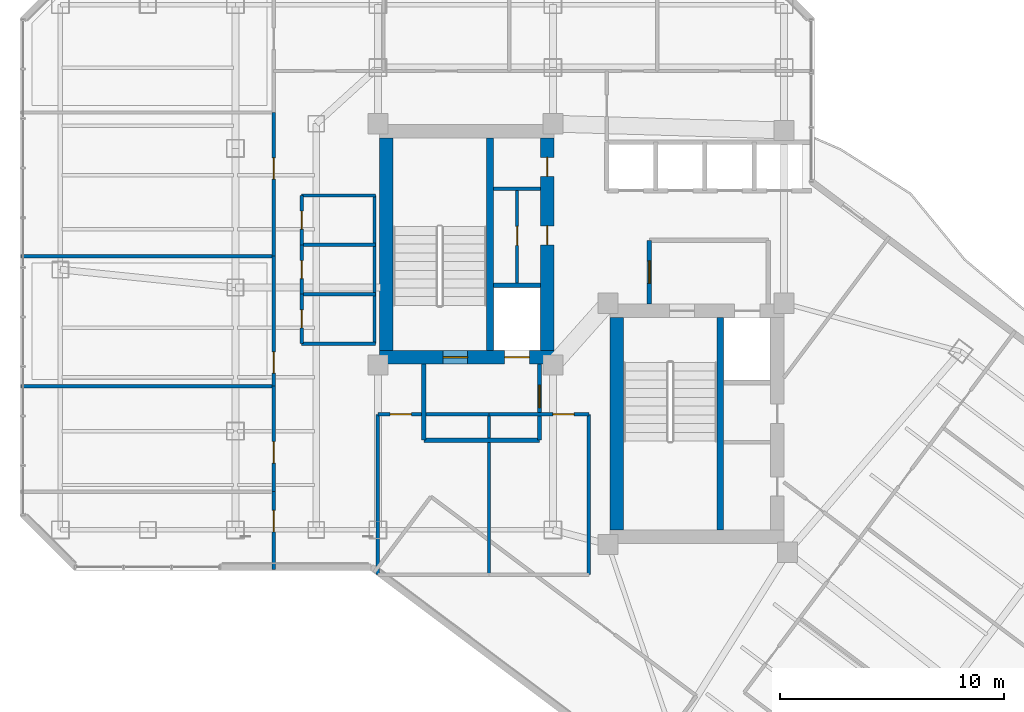
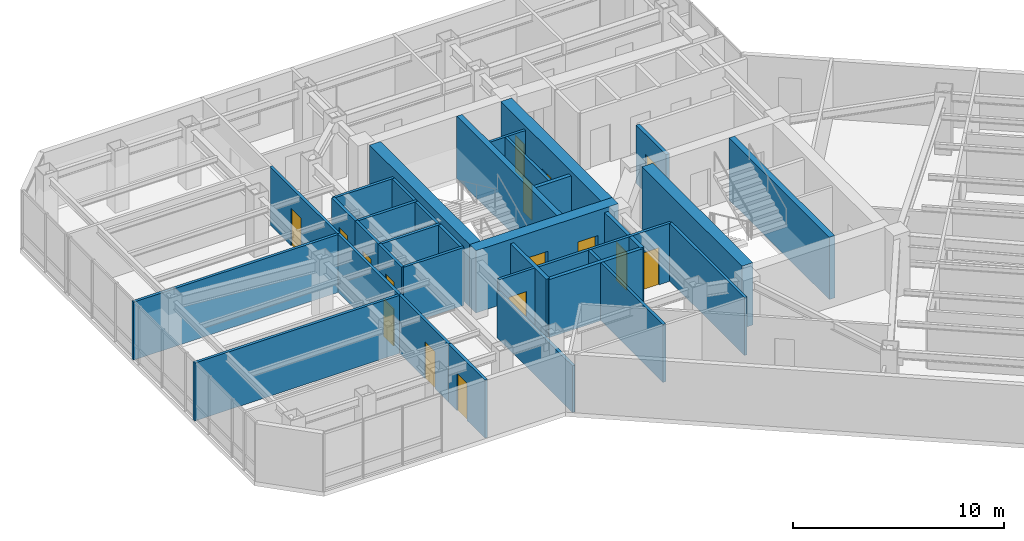
# One storey, part 22 of 27: 32 walls, 16 doors, 16 openings.
"""IFC4 building model written with IfcOpenShell, lengths in metres."""

from ifc_helpers import new_model, si_unit, direction, frame, frame_2d, origin, place, context, subcontext, project, spatial, rectangle, extrude, material, layer, layer_set, type_object, element, fill, save


model = new_model("IFC4")

# Units and contexts
model_context = context("Model", 3, precision=1e-05, world=origin(), true_north=direction((0.0, 1.0)))
body_context = subcontext(model_context, "Body", "Model", "MODEL_VIEW")
ifc_project = project(units=[si_unit("LENGTHUNIT", "METRE"), si_unit("AREAUNIT", "SQUARE_METRE"), si_unit("VOLUMEUNIT", "CUBIC_METRE"), si_unit("PLANEANGLEUNIT", "RADIAN"), si_unit("MASSUNIT", "GRAM", prefix="KILO")], contexts=[model_context])

# Site, building, storey
site_placement = place(None, origin())
site = spatial("IfcSite", under=ifc_project, at=site_placement, CompositionType="ELEMENT")
building_placement = place(site_placement, origin())
building = spatial("IfcBuilding", under=site, at=building_placement, Name="Hatsunagi Terrace Concourse", CompositionType="ELEMENT")
storey_placement = place(building_placement, frame((0.0, 0.0, 163.64990234375)))
storey = spatial("IfcBuildingStorey", under=building, at=storey_placement, Name="L43", CompositionType="ELEMENT", Elevation=163.64990234375)

# Wall, openings, doors
ifc_material_1 = material(Name="Concrete Fc48", Category="concrete")
ifc_layer_1 = layer(ifc_material_1, 0.60009765625)
ifc_layer_set_1 = layer_set([ifc_layer_1], Name="CoreShearWall_Fc48_600")
wall_type_1 = type_object("IfcWallType", Name="CoreShearWall_Fc48_600", PredefinedType="SHEAR", material=ifc_layer_set_1)
wall_1_placement = place(storey_placement, frame((25.6201171875, 32.889892578125, 0.0), z_axis=(0.0, 0.0, 1.0), x_axis=(1.0, 0.0, 0.0)))
wall_1 = element("IfcWall", 1, at=wall_1_placement, inside=storey, type_object=wall_type_1, Name="Core A Shear Wall S L43", PredefinedType="SHEAR", context=body_context, shape_type="SweptSolid", body=[
    extrude(rectangle(XDim=7.77978515625, YDim=0.60009765625, at=frame_2d((3.889892578125, 0.0))), origin(), (0.0, 0.0, 1.0), 3.60009765625),
])
opening_1_placement = place(wall_1_placement, frame((2.830078125, 0.0, 0.0)))
opening_1 = element("IfcOpeningElement", 2, at=opening_1_placement, cuts=wall_1, Name="Opening DR-110S", PredefinedType="OPENING", context=body_context, shape_type="SweptSolid", body=[
    extrude(rectangle(XDim=1.10009765625, YDim=2.199951171875, at=frame_2d((0.550048828125, 1.10009765625))), frame((0.0, 0.31005859375, 0.0), z_axis=(0.0, -1.0, 0.0), x_axis=(1.0, 0.0, 0.0)), (0.0, 0.0, 1.0), 0.6201171875),
])
opening_2_placement = place(wall_1_placement, frame((5.580078125, 0.0, 0.0)))
opening_2 = element("IfcOpeningElement", 3, at=opening_2_placement, cuts=wall_1, Name="Opening LD-01", PredefinedType="OPENING", context=body_context, shape_type="SweptSolid", body=[
    extrude(rectangle(XDim=1.10009765625, YDim=2.14990234375, at=frame_2d((0.550048828125, 1.074951171875))), frame((0.0, 0.31005859375, 0.0), z_axis=(0.0, -1.0, 0.0), x_axis=(1.0, 0.0, 0.0)), (0.0, 0.0, 1.0), 0.6201171875),
])
ifc_material_2 = material(Name="Stainless steel", Category="steel")
door_type_1 = type_object("IfcDoorType", Name="LiftLandingDoor_LD01", OperationType="SLIDING_TO_LEFT", PredefinedType="USERDEFINED", material=ifc_material_2)
door_1_placement = place(opening_2_placement, origin())
door_1 = element("IfcDoor", 4, at=door_1_placement, inside=storey, type_object=door_type_1, Name="Lift landing door FF-01 L43", ObjectType="SLIDING_LANDING_DOOR", OperationType="SLIDING_TO_LEFT", OverallHeight=2.14990234375, OverallWidth=1.10009765625, PredefinedType="USERDEFINED", context=body_context, shape_type="SweptSolid", body=[
    extrude(rectangle(XDim=1.10009765625, YDim=2.14990234375, at=frame_2d((0.550048828125, 1.074951171875))), frame((0.0, 0.02490234375, 0.0), z_axis=(0.0, -1.0, 0.0), x_axis=(1.0, 0.0, 0.0)), (0.0, 0.0, 1.0), 0.050048828125),
])
fill(opening_2, door_1)
ifc_material_3 = material(Name="Painted steel", Category="steel")
door_type_2 = type_object("IfcDoorType", Name="StairFireDoor_EI60_1100", OperationType="NOTDEFINED", PredefinedType="DOOR", material=ifc_material_3)
door_2_placement = place(opening_1_placement, origin())
door_2 = element("IfcDoor", 5, at=door_2_placement, inside=storey, type_object=door_type_2, Name="Stair ST-A Exit Door L43", OperationType="SINGLE_SWING_LEFT", OverallHeight=2.199951171875, OverallWidth=1.10009765625, PredefinedType="DOOR", context=body_context, shape_type="SweptSolid", body=[
    extrude(rectangle(XDim=1.10009765625, YDim=2.199951171875, at=frame_2d((0.550048828125, 1.10009765625))), frame((0.0, 0.02490234375, 0.0), z_axis=(0.0, -1.0, 0.0), x_axis=(1.0, 0.0, 0.0)), (0.0, 0.0, 1.0), 0.050048828125),
])
fill(opening_1, door_2)

# Wall
wall_2_placement = place(storey_placement, frame((25.919921875, 33.18994140625, 0.0), z_axis=(0.0, 0.0, 1.0), x_axis=(0.0, 1.0, 0.0)))
element("IfcWall", 6, at=wall_2_placement, inside=storey, type_object=wall_type_1, Name="Core A Shear Wall W L43", PredefinedType="SHEAR", context=body_context, shape_type="SweptSolid", body=[
    extrude(rectangle(XDim=9.47998046875, YDim=0.60009765625, at=frame_2d((4.739990234375, 0.0))), origin(), (0.0, 0.0, 1.0), 3.60009765625),
])

# Wall, openings, doors
wall_3_placement = place(storey_placement, frame((33.10009765625, 33.18994140625, 0.0), z_axis=(0.0, 0.0, 1.0), x_axis=(0.0, 1.0, 0.0)))
wall_3 = element("IfcWall", 7, at=wall_3_placement, inside=storey, type_object=wall_type_1, Name="Core A Shear Wall E L43", PredefinedType="SHEAR", context=body_context, shape_type="SweptSolid", body=[
    extrude(rectangle(XDim=9.47998046875, YDim=0.60009765625, at=frame_2d((4.739990234375, 0.0))), origin(), (0.0, 0.0, 1.0), 3.60009765625),
])
opening_3_placement = place(wall_3_placement, frame((4.7099609375, 0.0, 0.0)))
opening_3 = element("IfcOpeningElement", 8, at=opening_3_placement, cuts=wall_3, Name="Opening DR-085", PredefinedType="OPENING", context=body_context, shape_type="SweptSolid", body=[
    extrude(rectangle(XDim=0.85009765625, YDim=2.080078125, at=frame_2d((0.425048828125, 1.0400390625))), frame((0.0, 0.31005859375, 0.0), z_axis=(0.0, -1.0, 0.0), x_axis=(1.0, 0.0, 0.0)), (0.0, 0.0, 1.0), 0.6201171875),
])
opening_4_placement = place(wall_3_placement, frame((7.760009765625, 0.0, 0.0)))
opening_4 = element("IfcOpeningElement", 9, at=opening_4_placement, cuts=wall_3, Name="Opening DR-085", PredefinedType="OPENING", context=body_context, shape_type="SweptSolid", body=[
    extrude(rectangle(XDim=0.85009765625, YDim=2.080078125, at=frame_2d((0.425048828125, 1.0400390625))), frame((0.0, 0.31005859375, 0.0), z_axis=(0.0, -1.0, 0.0), x_axis=(1.0, 0.0, 0.0)), (0.0, 0.0, 1.0), 0.6201171875),
])
ifc_material_4 = material(Name="Painted steel", Category="steel")
door_type_3 = type_object("IfcDoorType", Name="RiserAccessDoor_EI60_850", OperationType="NOTDEFINED", PredefinedType="DOOR", material=ifc_material_4)
door_3_placement = place(opening_3_placement, origin())
door_3 = element("IfcDoor", 10, at=door_3_placement, inside=storey, type_object=door_type_3, Name="Core A Riser Door L43-1", OperationType="SINGLE_SWING_LEFT", OverallHeight=2.080078125, OverallWidth=0.85009765625, PredefinedType="DOOR", context=body_context, shape_type="SweptSolid", body=[
    extrude(rectangle(XDim=0.85009765625, YDim=2.080078125, at=frame_2d((0.425048828125, 1.0400390625))), frame((0.0, 0.02490234375, 0.0), z_axis=(0.0, -1.0, 0.0), x_axis=(1.0, 0.0, 0.0)), (0.0, 0.0, 1.0), 0.050048828125),
])
fill(opening_3, door_3)
door_4_placement = place(opening_4_placement, origin())
door_4 = element("IfcDoor", 11, at=door_4_placement, inside=storey, type_object=door_type_3, Name="Core A Riser Door L43-2", OperationType="SINGLE_SWING_LEFT", OverallHeight=2.080078125, OverallWidth=0.85009765625, PredefinedType="DOOR", context=body_context, shape_type="SweptSolid", body=[
    extrude(rectangle(XDim=0.85009765625, YDim=2.080078125, at=frame_2d((0.425048828125, 1.0400390625))), frame((0.0, 0.02490234375, 0.0), z_axis=(0.0, -1.0, 0.0), x_axis=(1.0, 0.0, 0.0)), (0.0, 0.0, 1.0), 0.050048828125),
])
fill(opening_4, door_4)

# Walls
wall_4_placement = place(storey_placement, frame((36.18994140625, 25.18994140625, 0.0), z_axis=(0.0, 0.0, 1.0), x_axis=(0.0, 1.0, 0.0)))
element("IfcWall", 12, at=wall_4_placement, inside=storey, type_object=wall_type_1, Name="Core B Shear Wall W L43", PredefinedType="SHEAR", context=body_context, shape_type="SweptSolid", body=[
    extrude(rectangle(XDim=9.47998046875, YDim=0.60009765625, at=frame_2d((4.739990234375, 0.0))), origin(), (0.0, 0.0, 1.0), 3.60009765625),
])
ifc_material_5 = material(Name="Concrete Fc48", Category="concrete")
ifc_layer_2 = layer(ifc_material_5, 0.300048828125)
ifc_layer_set_2 = layer_set([ifc_layer_2], Name="CoreStairDivider_Fc48_300")
wall_type_2 = type_object("IfcWallType", Name="CoreStairDivider_Fc48_300", PredefinedType="SHEAR", material=ifc_layer_set_2)
for number, where, z_axis, x_axis, name in (
    (13, (30.5400390625, 33.18994140625, 0.0), (0.0, 0.0, 1.0), (0.0, 1.0, 0.0), "Core A Shear Wall D L43"),
    (14, (40.81005859375, 25.18994140625, 0.0), (0.0, 0.0, 1.0), (0.0, 1.0, 0.0), "Core B Shear Wall D L43"),
):
    element("IfcWall", number, at=place(storey_placement, frame(where, z_axis=z_axis, x_axis=x_axis)), inside=storey, type_object=wall_type_2, Name=name, PredefinedType="SHEAR", context=body_context, shape_type="SweptSolid", body=[
        extrude(rectangle(XDim=9.47998046875, YDim=0.300048828125, at=frame_2d((4.739990234375, 0.0))), origin(), (0.0, 0.0, 1.0), 3.60009765625),
    ])

# Wall, opening, door
ifc_material_6 = material(Name="Acoustic mineral board", Category="gypsum")
ifc_layer_3 = layer(ifc_material_6, 0.14990234375)
ifc_layer_set_3 = layer_set([ifc_layer_3], Name="PartitionWall_EI60_150")
wall_type_3 = type_object("IfcWallType", Name="PartitionWall_EI60_150", PredefinedType="PARTITIONING", material=ifc_layer_set_3)
wall_5_placement = place(storey_placement, frame((31.75, 36.179931640625, 0.0), z_axis=(0.0, 0.0, 1.0), x_axis=(0.0, 1.0, 0.0)))
wall_5 = element("IfcWall", 15, at=wall_5_placement, inside=storey, type_object=wall_type_3, Name="Interior Partition IW-L43-002", PredefinedType="PARTITIONING", context=body_context, shape_type="SweptSolid", body=[
    extrude(rectangle(XDim=4.239990234375, YDim=0.14990234375, at=frame_2d((2.1201171875, 0.0))), origin(), (0.0, 0.0, 1.0), 3.35009765625),
])
opening_5_placement = place(wall_5_placement, frame((1.695068359375, 0.0, 0.0)))
opening_5 = element("IfcOpeningElement", 16, at=opening_5_placement, cuts=wall_5, Name="Opening DR-085", PredefinedType="OPENING", context=body_context, shape_type="SweptSolid", body=[
    extrude(rectangle(XDim=0.85009765625, YDim=2.080078125, at=frame_2d((0.425048828125, 1.0400390625))), frame((0.0, 0.0849609375, 0.0), z_axis=(0.0, -1.0, 0.0), x_axis=(1.0, 0.0, 0.0)), (0.0, 0.0, 1.0), 0.169921875),
])
door_5_placement = place(opening_5_placement, origin())
door_5 = element("IfcDoor", 17, at=door_5_placement, inside=storey, type_object=door_type_3, Name="Core A Sub-Riser Door L43", OperationType="SINGLE_SWING_LEFT", OverallHeight=2.080078125, OverallWidth=0.85009765625, PredefinedType="DOOR", context=body_context, shape_type="SweptSolid", body=[
    extrude(rectangle(XDim=0.85009765625, YDim=2.080078125, at=frame_2d((0.425048828125, 1.0400390625))), frame((0.0, 0.02490234375, 0.0), z_axis=(0.0, -1.0, 0.0), x_axis=(1.0, 0.0, 0.0)), (0.0, 0.0, 1.0), 0.050048828125),
])
fill(opening_5, door_5)

# Walls
wall_6_placement = place(storey_placement, frame((30.699951171875, 40.39990234375, 0.0), z_axis=(0.0, 0.0, 1.0), x_axis=(1.0, 0.0, 0.0)))
element("IfcWall", 18, at=wall_6_placement, inside=storey, type_object=wall_type_3, Name="Interior Partition IW-L43-003", PredefinedType="PARTITIONING", context=body_context, shape_type="SweptSolid", body=[
    extrude(rectangle(XDim=2.10009765625, YDim=0.14990234375, at=frame_2d((1.050048828125, 0.0))), origin(), (0.0, 0.0, 1.0), 3.35009765625),
])
for number, where, z_axis, x_axis, name in (
    (19, (22.14990234375, 33.5, 0.0), (0.0, 0.0, 1.0), (1.0, 0.0, 0.0), "Interior Partition IW-L43-018"),
    (20, (22.14990234375, 40.10009765625, 0.0), (0.0, 0.0, 1.0), (1.0, 0.0, 0.0), "Interior Partition IW-L43-019"),
):
    element("IfcWall", number, at=place(storey_placement, frame(where, z_axis=z_axis, x_axis=x_axis)), inside=storey, type_object=wall_type_3, Name=name, PredefinedType="PARTITIONING", context=body_context, shape_type="SweptSolid", body=[
        extrude(rectangle(XDim=3.300048828125, YDim=0.14990234375, at=frame_2d((1.64990234375, 0.0))), origin(), (0.0, 0.0, 1.0), 3.35009765625),
    ])
wall_7_placement = place(storey_placement, frame((25.39990234375, 33.5, 0.0), z_axis=(0.0, 0.0, 1.0), x_axis=(0.0, 1.0, 0.0)))
element("IfcWall", 21, at=wall_7_placement, inside=storey, type_object=wall_type_3, Name="Interior Partition IW-L43-020", PredefinedType="PARTITIONING", context=body_context, shape_type="SweptSolid", body=[
    extrude(rectangle(XDim=6.60009765625, YDim=0.14990234375, at=frame_2d((3.300048828125, 0.0))), origin(), (0.0, 0.0, 1.0), 3.35009765625),
])
for number, where, z_axis, x_axis, name in (
    (22, (22.14990234375, 35.699951171875, 0.0), (0.0, 0.0, 1.0), (1.0, 0.0, 0.0), "Interior Partition IW-L43-021"),
    (23, (22.14990234375, 37.89990234375, 0.0), (0.0, 0.0, 1.0), (1.0, 0.0, 0.0), "Interior Partition IW-L43-022"),
):
    element("IfcWall", number, at=place(storey_placement, frame(where, z_axis=z_axis, x_axis=x_axis)), inside=storey, type_object=wall_type_3, Name=name, PredefinedType="PARTITIONING", context=body_context, shape_type="SweptSolid", body=[
        extrude(rectangle(XDim=3.300048828125, YDim=0.14990234375, at=frame_2d((1.64990234375, 0.0))), origin(), (0.0, 0.0, 1.0), 3.35009765625),
    ])

# Wall, opening, door
wall_8_placement = place(storey_placement, frame((22.14990234375, 33.5, 0.0), z_axis=(0.0, 0.0, 1.0), x_axis=(0.0, 1.0, 0.0)))
wall_8 = element("IfcWall", 24, at=wall_8_placement, inside=storey, type_object=wall_type_3, Name="Interior Partition IW-L43-023", PredefinedType="PARTITIONING", context=body_context, shape_type="SweptSolid", body=[
    extrude(rectangle(XDim=2.199951171875, YDim=0.14990234375, at=frame_2d((1.10009765625, 0.0))), origin(), (0.0, 0.0, 1.0), 3.35009765625),
])
opening_6_placement = place(wall_8_placement, frame((0.699951171875, 0.0, 0.0)))
opening_6 = element("IfcOpeningElement", 25, at=opening_6_placement, cuts=wall_8, Name="Opening DR-080", PredefinedType="OPENING", context=body_context, shape_type="SweptSolid", body=[
    extrude(rectangle(XDim=0.800048828125, YDim=2.06005859375, at=frame_2d((0.39990234375, 1.030029296875))), frame((0.0, 0.0849609375, 0.0), z_axis=(0.0, -1.0, 0.0), x_axis=(1.0, 0.0, 0.0)), (0.0, 0.0, 1.0), 0.169921875),
])
ifc_material_7 = material(Name="Hardwood timber", Category="wood")
door_type_4 = type_object("IfcDoorType", Name="BathroomDoor_800", OperationType="NOTDEFINED", PredefinedType="DOOR", material=ifc_material_7)
door_6_placement = place(opening_6_placement, origin())
door_6 = element("IfcDoor", 26, at=door_6_placement, inside=storey, type_object=door_type_4, Name="Accessible WC Door L43", OperationType="SINGLE_SWING_RIGHT", OverallHeight=2.06005859375, OverallWidth=0.800048828125, PredefinedType="DOOR", context=body_context, shape_type="SweptSolid", body=[
    extrude(rectangle(XDim=0.800048828125, YDim=2.06005859375, at=frame_2d((0.39990234375, 1.030029296875))), frame((0.0, 0.02490234375, 0.0), z_axis=(0.0, -1.0, 0.0), x_axis=(1.0, 0.0, 0.0)), (0.0, 0.0, 1.0), 0.050048828125),
])
fill(opening_6, door_6)

wall_9_placement = place(storey_placement, frame((22.14990234375, 35.699951171875, 0.0), z_axis=(0.0, 0.0, 1.0), x_axis=(0.0, 1.0, 0.0)))
wall_9 = element("IfcWall", 27, at=wall_9_placement, inside=storey, type_object=wall_type_3, Name="Interior Partition IW-L43-024", PredefinedType="PARTITIONING", context=body_context, shape_type="SweptSolid", body=[
    extrude(rectangle(XDim=2.199951171875, YDim=0.14990234375, at=frame_2d((1.10009765625, 0.0))), origin(), (0.0, 0.0, 1.0), 3.35009765625),
])
opening_7_placement = place(wall_9_placement, frame((0.699951171875, 0.0, 0.0)))
opening_7 = element("IfcOpeningElement", 28, at=opening_7_placement, cuts=wall_9, Name="Opening DR-080", PredefinedType="OPENING", context=body_context, shape_type="SweptSolid", body=[
    extrude(rectangle(XDim=0.800048828125, YDim=2.06005859375, at=frame_2d((0.39990234375, 1.030029296875))), frame((0.0, 0.0849609375, 0.0), z_axis=(0.0, -1.0, 0.0), x_axis=(1.0, 0.0, 0.0)), (0.0, 0.0, 1.0), 0.169921875),
])
door_7_placement = place(opening_7_placement, origin())
door_7 = element("IfcDoor", 29, at=door_7_placement, inside=storey, type_object=door_type_4, Name="Female Restroom Door L43", OperationType="SINGLE_SWING_RIGHT", OverallHeight=2.06005859375, OverallWidth=0.800048828125, PredefinedType="DOOR", context=body_context, shape_type="SweptSolid", body=[
    extrude(rectangle(XDim=0.800048828125, YDim=2.06005859375, at=frame_2d((0.39990234375, 1.030029296875))), frame((0.0, 0.02490234375, 0.0), z_axis=(0.0, -1.0, 0.0), x_axis=(1.0, 0.0, 0.0)), (0.0, 0.0, 1.0), 0.050048828125),
])
fill(opening_7, door_7)

wall_10_placement = place(storey_placement, frame((22.14990234375, 37.89990234375, 0.0), z_axis=(0.0, 0.0, 1.0), x_axis=(0.0, 1.0, 0.0)))
wall_10 = element("IfcWall", 30, at=wall_10_placement, inside=storey, type_object=wall_type_3, Name="Interior Partition IW-L43-025", PredefinedType="PARTITIONING", context=body_context, shape_type="SweptSolid", body=[
    extrude(rectangle(XDim=2.2001953125, YDim=0.14990234375, at=frame_2d((1.10009765625, 0.0))), origin(), (0.0, 0.0, 1.0), 3.35009765625),
])
opening_8_placement = place(wall_10_placement, frame((0.699951171875, 0.0, 0.0)))
opening_8 = element("IfcOpeningElement", 31, at=opening_8_placement, cuts=wall_10, Name="Opening DR-080", PredefinedType="OPENING", context=body_context, shape_type="SweptSolid", body=[
    extrude(rectangle(XDim=0.800048828125, YDim=2.06005859375, at=frame_2d((0.39990234375, 1.030029296875))), frame((0.0, 0.0849609375, 0.0), z_axis=(0.0, -1.0, 0.0), x_axis=(1.0, 0.0, 0.0)), (0.0, 0.0, 1.0), 0.169921875),
])
door_8_placement = place(opening_8_placement, origin())
door_8 = element("IfcDoor", 32, at=door_8_placement, inside=storey, type_object=door_type_4, Name="Male Restroom Door L43", OperationType="SINGLE_SWING_RIGHT", OverallHeight=2.06005859375, OverallWidth=0.800048828125, PredefinedType="DOOR", context=body_context, shape_type="SweptSolid", body=[
    extrude(rectangle(XDim=0.800048828125, YDim=2.06005859375, at=frame_2d((0.39990234375, 1.030029296875))), frame((0.0, 0.02490234375, 0.0), z_axis=(0.0, -1.0, 0.0), x_axis=(1.0, 0.0, 0.0)), (0.0, 0.0, 1.0), 0.050048828125),
])
fill(opening_8, door_8)

wall_11_placement = place(storey_placement, frame((25.550048828125, 30.35009765625, 0.0), z_axis=(0.0, 0.0, 1.0), x_axis=(1.0, 0.0, 0.0)))
wall_11 = element("IfcWall", 33, at=wall_11_placement, inside=storey, type_object=wall_type_3, Name="Interior Partition IW-L43-027", PredefinedType="PARTITIONING", context=body_context, shape_type="SweptSolid", body=[
    extrude(rectangle(XDim=4.949951171875, YDim=0.14990234375, at=frame_2d((2.47509765625, 0.0))), origin(), (0.0, 0.0, 1.0), 3.35009765625),
])
opening_9_placement = place(wall_11_placement, frame((0.5419921875, 0.0, 0.0)))
opening_9 = element("IfcOpeningElement", 34, at=opening_9_placement, cuts=wall_11, Name="Opening DR-095", PredefinedType="OPENING", context=body_context, shape_type="SweptSolid", body=[
    extrude(rectangle(XDim=0.949951171875, YDim=2.14990234375, at=frame_2d((0.47509765625, 1.074951171875))), frame((0.0, 0.0849609375, 0.0), z_axis=(0.0, -1.0, 0.0), x_axis=(1.0, 0.0, 0.0)), (0.0, 0.0, 1.0), 0.169921875),
])
ifc_material_8 = material(Name="Hardwood timber", Category="wood")
door_type_5 = type_object("IfcDoorType", Name="InteriorSuiteDoor_EI30_950", OperationType="NOTDEFINED", PredefinedType="DOOR", material=ifc_material_8)
door_9_placement = place(opening_9_placement, origin())
door_9 = element("IfcDoor", 35, at=door_9_placement, inside=storey, type_object=door_type_5, Name="Executive Office L43-RECL1 Door", OperationType="SINGLE_SWING_RIGHT", OverallHeight=2.14990234375, OverallWidth=0.949951171875, PredefinedType="DOOR", context=body_context, shape_type="SweptSolid", body=[
    extrude(rectangle(XDim=0.949951171875, YDim=2.14990234375, at=frame_2d((0.47509765625, 1.074951171875))), frame((0.0, 0.02490234375, 0.0), z_axis=(0.0, -1.0, 0.0), x_axis=(1.0, 0.0, 0.0)), (0.0, 0.0, 1.0), 0.050048828125),
])
fill(opening_9, door_9)

# Walls
wall_12_placement = place(storey_placement, frame((25.550048828125, 23.199951171875, 0.0), z_axis=(0.0, 0.0, 1.0), x_axis=(0.0, 1.0, 0.0)))
element("IfcWall", 36, at=wall_12_placement, inside=storey, type_object=wall_type_3, Name="Interior Partition IW-L43-028", PredefinedType="PARTITIONING", context=body_context, shape_type="SweptSolid", body=[
    extrude(rectangle(XDim=7.150146484375, YDim=0.14990234375, at=frame_2d((3.5751953125, 0.0))), origin(), (0.0, 0.0, 1.0), 2.695068359375),
])
wall_13_placement = place(storey_placement, frame((30.5, 23.199951171875, 0.0), z_axis=(0.0, 0.0, 1.0), x_axis=(0.0, 1.0, 0.0)))
element("IfcWall", 37, at=wall_13_placement, inside=storey, type_object=wall_type_3, Name="Interior Partition IW-L43-029", PredefinedType="PARTITIONING", context=body_context, shape_type="SweptSolid", body=[
    extrude(rectangle(XDim=7.150146484375, YDim=0.14990234375, at=frame_2d((3.5751953125, 0.0))), origin(), (0.0, 0.0, 1.0), 3.35009765625),
])

# Wall, opening, door
wall_14_placement = place(storey_placement, frame((30.5, 30.35009765625, 0.0), z_axis=(0.0, 0.0, 1.0), x_axis=(1.0, 0.0, 0.0)))
wall_14 = element("IfcWall", 38, at=wall_14_placement, inside=storey, type_object=wall_type_3, Name="Interior Partition IW-L43-031", PredefinedType="PARTITIONING", context=body_context, shape_type="SweptSolid", body=[
    extrude(rectangle(XDim=4.449951171875, YDim=0.14990234375, at=frame_2d((2.22509765625, 0.0))), origin(), (0.0, 0.0, 1.0), 3.35009765625),
])
opening_10_placement = place(wall_14_placement, frame((2.845947265625, 0.0, 0.0)))
opening_10 = element("IfcOpeningElement", 39, at=opening_10_placement, cuts=wall_14, Name="Opening DR-095", PredefinedType="OPENING", context=body_context, shape_type="SweptSolid", body=[
    extrude(rectangle(XDim=0.949951171875, YDim=2.14990234375, at=frame_2d((0.47509765625, 1.074951171875))), frame((0.0, 0.0849609375, 0.0), z_axis=(0.0, -1.0, 0.0), x_axis=(1.0, 0.0, 0.0)), (0.0, 0.0, 1.0), 0.169921875),
])
door_10_placement = place(opening_10_placement, origin())
door_10 = element("IfcDoor", 40, at=door_10_placement, inside=storey, type_object=door_type_5, Name="Client Consultation Room L43-RECL2 Door", OperationType="SINGLE_SWING_RIGHT", OverallHeight=2.14990234375, OverallWidth=0.949951171875, PredefinedType="DOOR", context=body_context, shape_type="SweptSolid", body=[
    extrude(rectangle(XDim=0.949951171875, YDim=2.14990234375, at=frame_2d((0.47509765625, 1.074951171875))), frame((0.0, 0.02490234375, 0.0), z_axis=(0.0, -1.0, 0.0), x_axis=(1.0, 0.0, 0.0)), (0.0, 0.0, 1.0), 0.050048828125),
])
fill(opening_10, door_10)

# Wall
wall_15_placement = place(storey_placement, frame((34.949951171875, 23.199951171875, 0.0), z_axis=(0.0, 0.0, 1.0), x_axis=(0.0, 1.0, 0.0)))
element("IfcWall", 41, at=wall_15_placement, inside=storey, type_object=wall_type_3, Name="Interior Partition IW-L43-032", PredefinedType="PARTITIONING", context=body_context, shape_type="SweptSolid", body=[
    extrude(rectangle(XDim=7.150146484375, YDim=0.14990234375, at=frame_2d((3.5751953125, 0.0))), origin(), (0.0, 0.0, 1.0), 3.35009765625),
])

# Wall, opening, door
wall_16_placement = place(storey_placement, frame((20.89990234375, 23.43994140625, 0.0), z_axis=(0.0, 0.0, 1.0), x_axis=(0.0, 1.0, 0.0)))
wall_16 = element("IfcWall", 42, at=wall_16_placement, inside=storey, type_object=wall_type_3, Name="Interior Partition IW-L43-034", PredefinedType="PARTITIONING", context=body_context, shape_type="SweptSolid", body=[
    extrude(rectangle(XDim=3.4599609375, YDim=0.14990234375, at=frame_2d((1.72998046875, 0.0))), origin(), (0.0, 0.0, 1.0), 3.35009765625),
])
opening_11_placement = place(wall_16_placement, frame((1.675048828125, 0.0, 0.0)))
opening_11 = element("IfcOpeningElement", 43, at=opening_11_placement, cuts=wall_16, Name="Opening DR-095", PredefinedType="OPENING", context=body_context, shape_type="SweptSolid", body=[
    extrude(rectangle(XDim=0.949951171875, YDim=2.14990234375, at=frame_2d((0.47509765625, 1.074951171875))), frame((0.0, 0.0849609375, 0.0), z_axis=(0.0, -1.0, 0.0), x_axis=(1.0, 0.0, 0.0)), (0.0, 0.0, 1.0), 0.169921875),
])
door_11_placement = place(opening_11_placement, origin())
door_11 = element("IfcDoor", 44, at=door_11_placement, inside=storey, type_object=door_type_5, Name="Focus Room L43-OW1 Door", OperationType="SINGLE_SWING_RIGHT", OverallHeight=2.14990234375, OverallWidth=0.949951171875, PredefinedType="DOOR", context=body_context, shape_type="SweptSolid", body=[
    extrude(rectangle(XDim=0.949951171875, YDim=2.14990234375, at=frame_2d((0.47509765625, 1.074951171875))), frame((0.0, 0.02490234375, 0.0), z_axis=(0.0, -1.0, 0.0), x_axis=(1.0, 0.0, 0.0)), (0.0, 0.0, 1.0), 0.050048828125),
])
fill(opening_11, door_11)

# Wall
wall_17_placement = place(storey_placement, frame((9.639892578125, 31.60009765625, 0.0), z_axis=(0.0, 0.0, 1.0), x_axis=(1.0, 0.0, 0.0)))
element("IfcWall", 45, at=wall_17_placement, inside=storey, type_object=wall_type_3, Name="Interior Partition IW-L43-035", PredefinedType="PARTITIONING", context=body_context, shape_type="SweptSolid", body=[
    extrude(rectangle(XDim=11.260009765625, YDim=0.14990234375, at=frame_2d((5.6298828125, 0.0))), origin(), (0.0, 0.0, 1.0), 3.35009765625),
])

# Wall, opening, door
wall_18_placement = place(storey_placement, frame((20.89990234375, 26.89990234375, 0.0), z_axis=(0.0, 0.0, 1.0), x_axis=(0.0, 1.0, 0.0)))
wall_18 = element("IfcWall", 46, at=wall_18_placement, inside=storey, type_object=wall_type_3, Name="Interior Partition IW-L43-036", PredefinedType="PARTITIONING", context=body_context, shape_type="SweptSolid", body=[
    extrude(rectangle(XDim=4.7001953125, YDim=0.14990234375, at=frame_2d((2.35009765625, 0.0))), origin(), (0.0, 0.0, 1.0), 3.35009765625),
])
opening_12_placement = place(wall_18_placement, frame((1.277099609375, 0.0, 0.0)))
opening_12 = element("IfcOpeningElement", 47, at=opening_12_placement, cuts=wall_18, Name="Opening DR-095", PredefinedType="OPENING", context=body_context, shape_type="SweptSolid", body=[
    extrude(rectangle(XDim=0.949951171875, YDim=2.14990234375, at=frame_2d((0.47509765625, 1.074951171875))), frame((0.0, 0.0849609375, 0.0), z_axis=(0.0, -1.0, 0.0), x_axis=(1.0, 0.0, 0.0)), (0.0, 0.0, 1.0), 0.169921875),
])
door_12_placement = place(opening_12_placement, origin())
door_12 = element("IfcDoor", 48, at=door_12_placement, inside=storey, type_object=door_type_5, Name="Executive Office L43-OW2 Door", OperationType="SINGLE_SWING_RIGHT", OverallHeight=2.14990234375, OverallWidth=0.949951171875, PredefinedType="DOOR", context=body_context, shape_type="SweptSolid", body=[
    extrude(rectangle(XDim=0.949951171875, YDim=2.14990234375, at=frame_2d((0.47509765625, 1.074951171875))), frame((0.0, 0.02490234375, 0.0), z_axis=(0.0, -1.0, 0.0), x_axis=(1.0, 0.0, 0.0)), (0.0, 0.0, 1.0), 0.050048828125),
])
fill(opening_12, door_12)

# Wall
wall_19_placement = place(storey_placement, frame((9.639892578125, 37.39990234375, 0.0), z_axis=(0.0, 0.0, 1.0), x_axis=(1.0, 0.0, 0.0)))
element("IfcWall", 49, at=wall_19_placement, inside=storey, type_object=wall_type_3, Name="Interior Partition IW-L43-037", PredefinedType="PARTITIONING", context=body_context, shape_type="SweptSolid", body=[
    extrude(rectangle(XDim=11.260009765625, YDim=0.14990234375, at=frame_2d((5.6298828125, 0.0))), origin(), (0.0, 0.0, 1.0), 3.35009765625),
])

# Wall, opening, door
wall_20_placement = place(storey_placement, frame((20.89990234375, 31.60009765625, 0.0), z_axis=(0.0, 0.0, 1.0), x_axis=(0.0, 1.0, 0.0)))
wall_20 = element("IfcWall", 50, at=wall_20_placement, inside=storey, type_object=wall_type_3, Name="Interior Partition IW-L43-038", PredefinedType="PARTITIONING", context=body_context, shape_type="SweptSolid", body=[
    extrude(rectangle(XDim=5.7998046875, YDim=0.14990234375, at=frame_2d((2.89990234375, 0.0))), origin(), (0.0, 0.0, 1.0), 3.35009765625),
])
opening_13_placement = place(wall_20_placement, frame((0.583984375, 0.0, 0.0)))
opening_13 = element("IfcOpeningElement", 51, at=opening_13_placement, cuts=wall_20, Name="Opening DR-095", PredefinedType="OPENING", context=body_context, shape_type="SweptSolid", body=[
    extrude(rectangle(XDim=0.949951171875, YDim=2.14990234375, at=frame_2d((0.47509765625, 1.074951171875))), frame((0.0, 0.0849609375, 0.0), z_axis=(0.0, -1.0, 0.0), x_axis=(1.0, 0.0, 0.0)), (0.0, 0.0, 1.0), 0.169921875),
])
door_13_placement = place(opening_13_placement, origin())
door_13 = element("IfcDoor", 52, at=door_13_placement, inside=storey, type_object=door_type_5, Name="Meeting Room L43-OW3 Door", OperationType="SINGLE_SWING_RIGHT", OverallHeight=2.14990234375, OverallWidth=0.949951171875, PredefinedType="DOOR", context=body_context, shape_type="SweptSolid", body=[
    extrude(rectangle(XDim=0.949951171875, YDim=2.14990234375, at=frame_2d((0.47509765625, 1.074951171875))), frame((0.0, 0.02490234375, 0.0), z_axis=(0.0, -1.0, 0.0), x_axis=(1.0, 0.0, 0.0)), (0.0, 0.0, 1.0), 0.050048828125),
])
fill(opening_13, door_13)

wall_21_placement = place(storey_placement, frame((20.89990234375, 37.39990234375, 0.0), z_axis=(0.0, 0.0, 1.0), x_axis=(0.0, 1.0, 0.0)))
wall_21 = element("IfcWall", 53, at=wall_21_placement, inside=storey, type_object=wall_type_3, Name="Interior Partition IW-L43-040", PredefinedType="PARTITIONING", context=body_context, shape_type="SweptSolid", body=[
    extrude(rectangle(XDim=6.400146484375, YDim=0.14990234375, at=frame_2d((3.2001953125, 0.0))), origin(), (0.0, 0.0, 1.0), 3.35009765625),
])
opening_14_placement = place(wall_21_placement, frame((3.427978515625, 0.0, 0.0)))
opening_14 = element("IfcOpeningElement", 54, at=opening_14_placement, cuts=wall_21, Name="Opening DR-095", PredefinedType="OPENING", context=body_context, shape_type="SweptSolid", body=[
    extrude(rectangle(XDim=0.949951171875, YDim=2.14990234375, at=frame_2d((0.47509765625, 1.074951171875))), frame((0.0, 0.0849609375, 0.0), z_axis=(0.0, -1.0, 0.0), x_axis=(1.0, 0.0, 0.0)), (0.0, 0.0, 1.0), 0.169921875),
])
door_14_placement = place(opening_14_placement, origin())
door_14 = element("IfcDoor", 55, at=door_14_placement, inside=storey, type_object=door_type_5, Name="Team Innovation Studio L43-OW4 Door", OperationType="SINGLE_SWING_RIGHT", OverallHeight=2.14990234375, OverallWidth=0.949951171875, PredefinedType="DOOR", context=body_context, shape_type="SweptSolid", body=[
    extrude(rectangle(XDim=0.949951171875, YDim=2.14990234375, at=frame_2d((0.47509765625, 1.074951171875))), frame((0.0, 0.02490234375, 0.0), z_axis=(0.0, -1.0, 0.0), x_axis=(1.0, 0.0, 0.0)), (0.0, 0.0, 1.0), 0.050048828125),
])
fill(opening_14, door_14)

# Walls
ifc_material_9 = material(Name="Acoustic mineral board", Category="gypsum")
ifc_layer_4 = layer(ifc_material_9, 0.199951171875)
ifc_layer_set_4 = layer_set([ifc_layer_4], Name="ShaftWall_EI120_200")
wall_type_4 = type_object("IfcWallType", Name="ShaftWall_EI120_200", PredefinedType="STANDARD", material=ifc_layer_set_4)
wall_22_placement = place(storey_placement, frame((30.699951171875, 36.10009765625, 0.0), z_axis=(0.0, 0.0, 1.0), x_axis=(1.0, 0.0, 0.0)))
element("IfcWall", 56, at=wall_22_placement, inside=storey, type_object=wall_type_4, Name="Interior Partition IW-L43-001", PredefinedType="STANDARD", context=body_context, shape_type="SweptSolid", body=[
    extrude(rectangle(XDim=2.10009765625, YDim=0.199951171875, at=frame_2d((1.050048828125, 0.0))), origin(), (0.0, 0.0, 1.0), 3.35009765625),
])
wall_23_placement = place(storey_placement, frame((27.60009765625, 29.199951171875, 0.0), z_axis=(0.0, 0.0, 1.0), x_axis=(1.0, 0.0, 0.0)))
element("IfcWall", 57, at=wall_23_placement, inside=storey, type_object=wall_type_4, Name="Interior Partition IW-L43-006", PredefinedType="STANDARD", context=body_context, shape_type="SweptSolid", body=[
    extrude(rectangle(XDim=5.14990234375, YDim=0.199951171875, at=frame_2d((2.574951171875, 0.0))), origin(), (0.0, 0.0, 1.0), 3.35009765625),
])
wall_24_placement = place(storey_placement, frame((27.60009765625, 29.199951171875, 0.0), z_axis=(0.0, 0.0, 1.0), x_axis=(0.0, 1.0, 0.0)))
element("IfcWall", 58, at=wall_24_placement, inside=storey, type_object=wall_type_4, Name="Interior Partition IW-L43-007", PredefinedType="STANDARD", context=body_context, shape_type="SweptSolid", body=[
    extrude(rectangle(XDim=3.39013671875, YDim=0.199951171875, at=frame_2d((1.695068359375, 0.0))), origin(), (0.0, 0.0, 1.0), 3.35009765625),
])

# Wall, opening, door
wall_25_placement = place(storey_placement, frame((32.75, 29.199951171875, 0.0), z_axis=(0.0, 0.0, 1.0), x_axis=(0.0, 1.0, 0.0)))
wall_25 = element("IfcWall", 59, at=wall_25_placement, inside=storey, type_object=wall_type_4, Name="Interior Partition IW-L43-008", PredefinedType="STANDARD", context=body_context, shape_type="SweptSolid", body=[
    extrude(rectangle(XDim=3.39013671875, YDim=0.199951171875, at=frame_2d((1.695068359375, 0.0))), origin(), (0.0, 0.0, 1.0), 3.35009765625),
])
opening_15_placement = place(wall_25_placement, frame((1.449951171875, 0.0, 0.0)))
opening_15 = element("IfcOpeningElement", 60, at=opening_15_placement, cuts=wall_25, Name="Opening DR-100F", PredefinedType="OPENING", context=body_context, shape_type="SweptSolid", body=[
    extrude(rectangle(XDim=1.0, YDim=2.199951171875, at=frame_2d((0.5, 1.10009765625))), frame((0.0, 0.10986328125, 0.0), z_axis=(0.0, -1.0, 0.0), x_axis=(1.0, 0.0, 0.0)), (0.0, 0.0, 1.0), 0.219970703125),
])
ifc_material_10 = material(Name="Painted steel", Category="steel")
door_type_6 = type_object("IfcDoorType", Name="FireDoor_EI60_1000", OperationType="NOTDEFINED", PredefinedType="DOOR", material=ifc_material_10)
door_15_placement = place(opening_15_placement, origin())
door_15 = element("IfcDoor", 61, at=door_15_placement, inside=storey, type_object=door_type_6, Name="Firefighting Lobby A Door L43", OperationType="SINGLE_SWING_RIGHT", OverallHeight=2.199951171875, OverallWidth=1.0, PredefinedType="DOOR", context=body_context, shape_type="SweptSolid", body=[
    extrude(rectangle(XDim=1.0, YDim=2.199951171875, at=frame_2d((0.5, 1.10009765625))), frame((0.0, 0.02490234375, 0.0), z_axis=(0.0, -1.0, 0.0), x_axis=(1.0, 0.0, 0.0)), (0.0, 0.0, 1.0), 0.050048828125),
])
fill(opening_15, door_15)

wall_26_placement = place(storey_placement, frame((37.64990234375, 35.27001953125, 0.0), z_axis=(0.0, 0.0, 1.0), x_axis=(0.0, 1.0, 0.0)))
wall_26 = element("IfcWall", 62, at=wall_26_placement, inside=storey, type_object=wall_type_4, Name="Interior Partition IW-L43-011", PredefinedType="STANDARD", context=body_context, shape_type="SweptSolid", body=[
    extrude(rectangle(XDim=2.830078125, YDim=0.199951171875, at=frame_2d((1.4150390625, 0.0))), origin(), (0.0, 0.0, 1.0), 3.35009765625),
])
opening_16_placement = place(wall_26_placement, frame((0.9150390625, 0.0, 0.0)))
opening_16 = element("IfcOpeningElement", 63, at=opening_16_placement, cuts=wall_26, Name="Opening DR-100F", PredefinedType="OPENING", context=body_context, shape_type="SweptSolid", body=[
    extrude(rectangle(XDim=1.0, YDim=2.199951171875, at=frame_2d((0.5, 1.10009765625))), frame((0.0, 0.10986328125, 0.0), z_axis=(0.0, -1.0, 0.0), x_axis=(1.0, 0.0, 0.0)), (0.0, 0.0, 1.0), 0.219970703125),
])
door_16_placement = place(opening_16_placement, origin())
door_16 = element("IfcDoor", 64, at=door_16_placement, inside=storey, type_object=door_type_6, Name="Firefighting Lobby B Door L43", OperationType="SINGLE_SWING_RIGHT", OverallHeight=2.199951171875, OverallWidth=1.0, PredefinedType="DOOR", context=body_context, shape_type="SweptSolid", body=[
    extrude(rectangle(XDim=1.0, YDim=2.199951171875, at=frame_2d((0.5, 1.10009765625))), frame((0.0, 0.02490234375, 0.0), z_axis=(0.0, -1.0, 0.0), x_axis=(1.0, 0.0, 0.0)), (0.0, 0.0, 1.0), 0.050048828125),
])
fill(opening_16, door_16)

save(model, "model.ifc")
